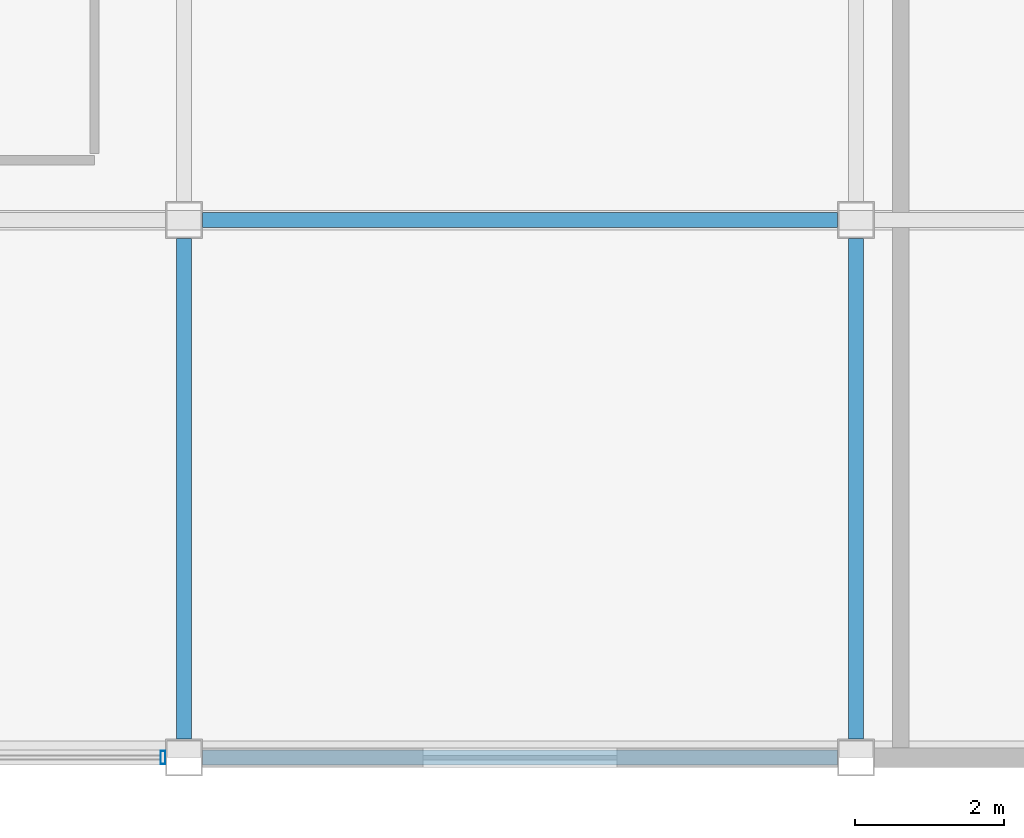
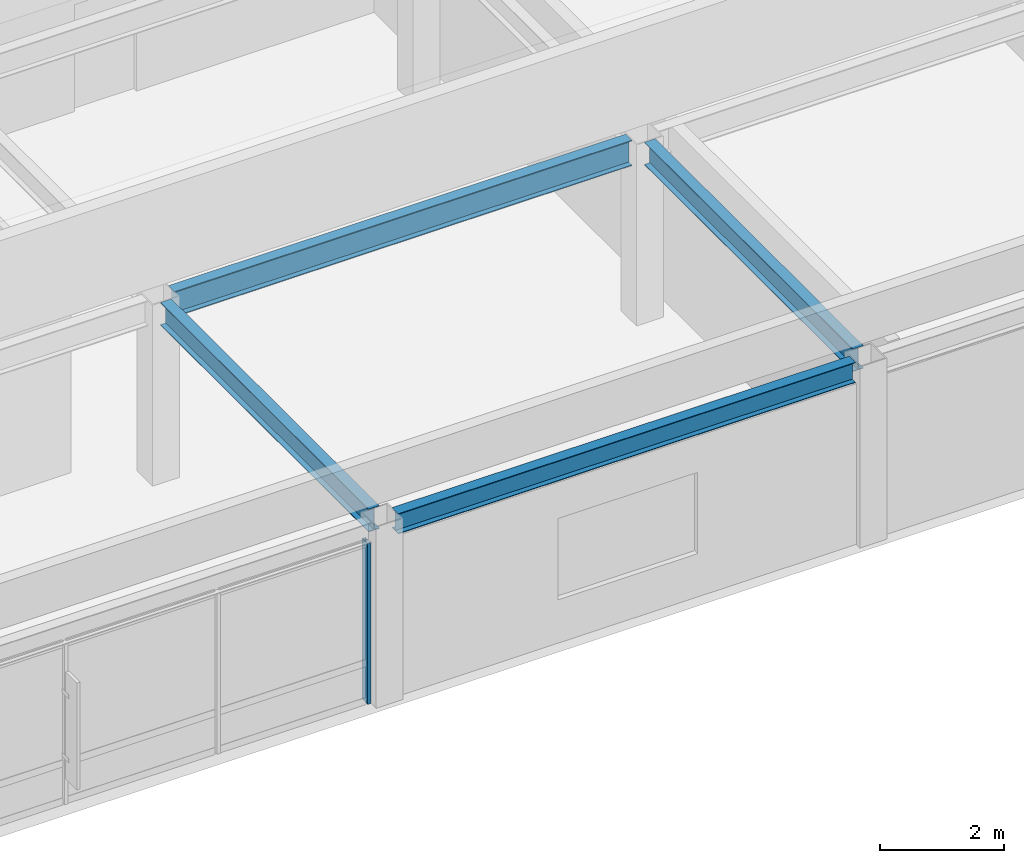
# One storey, part 4 of 9: 4 beams, 1 member, 1 element without a shape of its own.
"""IFC4 building model written with IfcOpenShell, lengths in metres."""

from ifc_helpers import new_model, si_unit, direction, frame, origin, origin_2d, place, context, subcontext, project, spatial, hollow_rectangle, i_section, extrude, material, material_profile, profile_set, type_object, element, aggregate, save


model = new_model("IFC4")

# Units and contexts
model_context = context("Model", 3, precision=1e-05, world=origin(), true_north=direction((0.0, 1.0)))
body_context = subcontext(model_context, "Body", "Model", "MODEL_VIEW")
ifc_project = project(units=[si_unit("LENGTHUNIT", "METRE"), si_unit("AREAUNIT", "SQUARE_METRE"), si_unit("VOLUMEUNIT", "CUBIC_METRE"), si_unit("PLANEANGLEUNIT", "RADIAN"), si_unit("MASSUNIT", "GRAM", prefix="KILO")], contexts=[model_context])

# Site, building, storey
site_placement = place(None, origin())
site = spatial("IfcSite", under=ifc_project, at=site_placement, CompositionType="ELEMENT")
building_placement = place(site_placement, origin())
building = spatial("IfcBuilding", under=site, at=building_placement, Name="Kazanami Central Library", CompositionType="ELEMENT")
storey_placement = place(building_placement, frame((0.0, 0.0, 31.39990234375)))
storey = spatial("IfcBuildingStorey", under=building, at=storey_placement, Name="L09", CompositionType="ELEMENT", Elevation=31.39990234375)

# Beams
ifc_material_1 = material(Name="Steel SN490B (325 MPa)", Category="steel")
ifc_material_profile_1 = material_profile(ifc_material_1, i_section(OverallWidth=0.199951171875, OverallDepth=0.5, WebThickness=0.010009765625, FlangeThickness=0.01611328125, at=origin_2d()), Name="H-500x200x10x16")
ifc_profile_set_1 = profile_set([ifc_material_profile_1], Name="Steel SN490B (325 MPa)")
beam_type_1 = type_object("IfcBeamType", Name="BM-G-X4", PredefinedType="BEAM", material=ifc_profile_set_1)
beam_1_placement = place(storey_placement, frame((144.248046875, 64.800048828125, 3.31005859375), z_axis=(1.0, 0.0, 0.0), x_axis=(0.0, 1.0, 0.0)))
element("IfcBeam", 1, at=beam_1_placement, inside=storey, type_object=beam_type_1, Name="Girder G-X4 L09 K/17-18", PredefinedType="BEAM", context=body_context, shape_type="SweptSolid", body=[
    extrude(i_section(OverallWidth=0.199951171875, OverallDepth=0.5, WebThickness=0.010009765625, FlangeThickness=0.01611328125, at=origin_2d()), origin(), (0.0, 0.0, 1.0), 8.50390625),
])
ifc_material_profile_2 = material_profile(ifc_material_1, i_section(OverallWidth=0.199951171875, OverallDepth=0.449951171875, WebThickness=0.009033203125, FlangeThickness=0.013916015625, at=origin_2d()), Name="H-450x200x9x14")
ifc_profile_set_2 = profile_set([ifc_material_profile_2], Name="Steel SN490B (325 MPa)")
beam_type_2 = type_object("IfcBeamType", Name="BM-G-Y3", PredefinedType="BEAM", material=ifc_profile_set_2)
for number, where, z_axis, x_axis, name in (
    (2, (144.0, 57.847900390625, 3.335205078125), (0.0, 1.0, 0.0), (-1.0, 0.0, 0.0), "Girder G-Y3 L09 17/J-K"),
    (3, (153.0, 57.847900390625, 3.335205078125), (0.0, 1.0, 0.0), (-1.0, 0.0, 0.0), "Girder G-Y3 L09 18/J-K"),
):
    element("IfcBeam", number, at=place(storey_placement, frame(where, z_axis=z_axis, x_axis=x_axis)), inside=storey, type_object=beam_type_2, Name=name, PredefinedType="BEAM", context=body_context, shape_type="SweptSolid", body=[
        extrude(i_section(OverallWidth=0.199951171875, OverallDepth=0.449951171875, WebThickness=0.009033203125, FlangeThickness=0.013916015625, at=origin_2d()), origin(), (0.0, 0.0, 1.0), 6.7041015625),
    ])
ifc_material_profile_3 = material_profile(ifc_material_1, i_section(OverallWidth=0.199951171875, OverallDepth=0.39990234375, WebThickness=0.008056640625, FlangeThickness=0.012939453125, at=origin_2d()), Name="H-400x200x8x13")
ifc_profile_set_3 = profile_set([ifc_material_profile_3], Name="Steel SN490B (325 MPa)")
beam_type_3 = type_object("IfcBeamType", Name="BM-SP-3", PredefinedType="SPANDREL", material=ifc_profile_set_3)
beam_2_placement = place(storey_placement, frame((144.248046875, 57.60009765625, 3.360107421875), z_axis=(1.0, 0.0, 0.0), x_axis=(0.0, 1.0, 0.0)))
element("IfcBeam", 4, at=beam_2_placement, inside=storey, type_object=beam_type_3, Name="Girder SP-3 L09 J/17-18", PredefinedType="SPANDREL", context=body_context, shape_type="SweptSolid", body=[
    extrude(i_section(OverallWidth=0.199951171875, OverallDepth=0.39990234375, WebThickness=0.008056640625, FlangeThickness=0.012939453125, at=origin_2d()), origin(), (0.0, 0.0, 1.0), 8.50390625),
])

# Curtain wall, member
ifc_material_2 = material(Name="Acid-Etched Low-E Laminated Glass", Category="glass")
curtain_wall_type = type_object("IfcCurtainWallType", Name="CW-8500x3160-M275", PredefinedType="USERDEFINED", material=ifc_material_2)
curtain_wall_placement = place(storey_placement, origin())
curtain_wall = element("IfcCurtainWall", 5, at=curtain_wall_placement, inside=storey, type_object=curtain_wall_type, Name="Unitised Curtain Wall CW-62 L09 S-J-15", ObjectType="UNITISED CURTAIN WALL", PredefinedType="USERDEFINED")
ifc_material_3 = material(Name="Anodised Aluminium A6063-T5", Category="aluminium")
ifc_material_profile_4 = material_profile(ifc_material_3, hollow_rectangle(XDim=0.06494140625, YDim=0.179931640625, WallThickness=0.00390625, at=origin_2d()), Name="ALU-MULL-65x180x4")
ifc_profile_set_4 = profile_set([ifc_material_profile_4], Name="Anodised Aluminium A6063-T5")
member_type = type_object("IfcMemberType", Name="MEM-CW-M2", PredefinedType="MULLION", material=ifc_profile_set_4)
member_placement = place(storey_placement, frame((143.717529296875, 57.60009765625, 0.0), z_axis=(0.0, 0.0, 1.0), x_axis=(1.0, 0.0, 0.0)))
member = element("IfcMember", 6, at=member_placement, type_object=member_type, Name="CW-62 mullion 4", PredefinedType="MULLION", context=body_context, shape_type="SweptSolid", body=[
    extrude(hollow_rectangle(XDim=0.06494140625, YDim=0.179931640625, WallThickness=0.00390625, at=origin_2d()), origin(), (0.0, 0.0, 1.0), 3.16015625),
])
aggregate(curtain_wall, [member])

save(model, "model.ifc")
